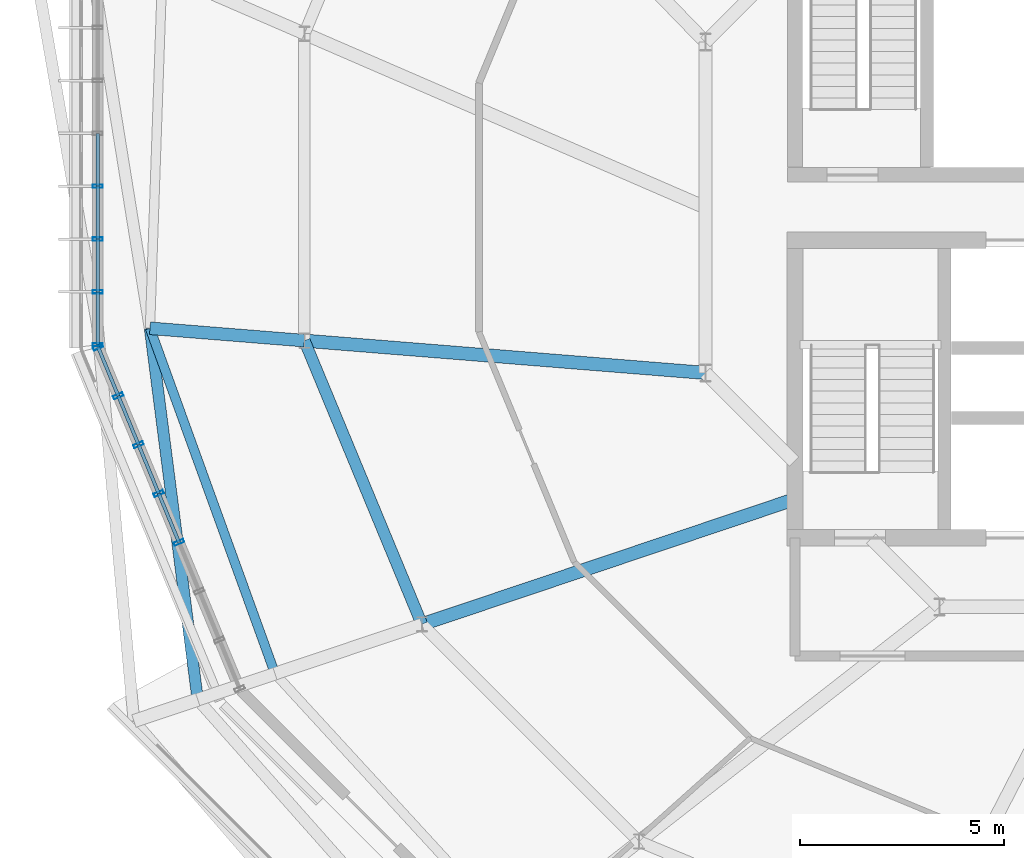
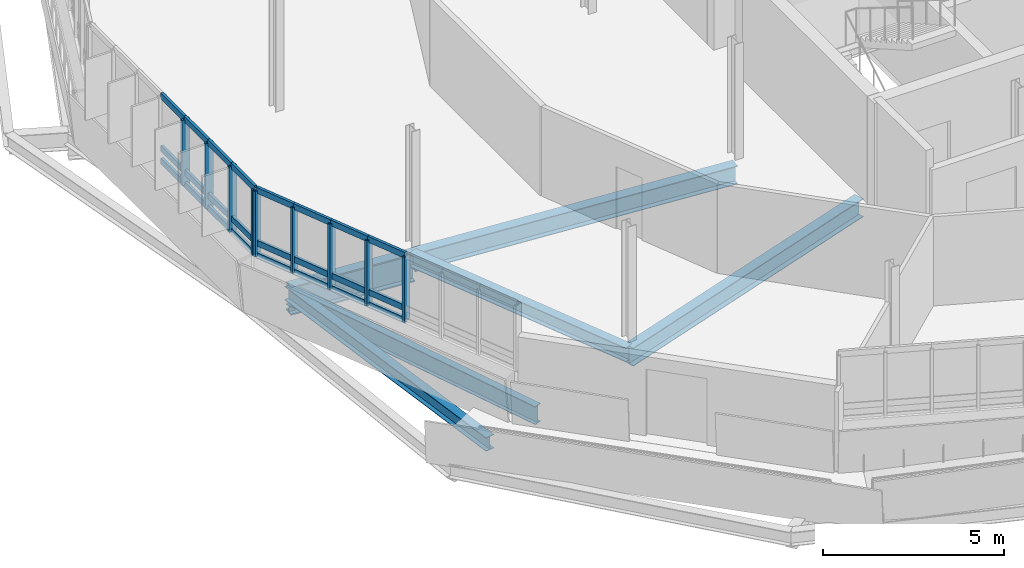
# One storey, part 7 of 38: 33 members, 6 beams, 2 elements without a shape of their own.
"""IFC4 building model written with IfcOpenShell, lengths in metres."""

import ifcopenshell
import ifcopenshell.guid

model = None  # the IFC model being written
_history = None  # IfcOwnerHistory: only IFC2X3 demands one
_inside = {}  # id of a spatial element -> (the spatial element, [elements in it])
_under = {}  # id of a project, library or spatial element -> (it, [spatial elements below it])
_declared = {}  # id of a project -> (the project, [libraries it declares])
_typed = {}  # id of a type object -> (the type object, [elements of that type])
_made_of = {}  # id of a material, layer set ... -> (it, [elements and type objects made of it])


def new_model(schema):
    """Start an empty IFC model of exactly this schema.

    Asked for "IFC4X3", IfcOpenShell would pick the latest addendum, in which some entities
    have other attributes; the version numbers below select the first issue.
    IFC2X3 requires an IfcOwnerHistory on every rooted entity: one is made here for all.
    """
    global model, _history
    if schema == "IFC4X3":
        model = ifcopenshell.file(schema_version=(4, 3, 0, 0))
    else:
        model = ifcopenshell.file(schema=schema)
    _inside.clear()
    _under.clear()
    _declared.clear()
    _typed.clear()
    _made_of.clear()
    _history = None
    if model.schema == "IFC2X3":
        org = make("IfcOrganization", Name="unknown")
        user = make(
            "IfcPersonAndOrganization",
            ThePerson=make("IfcPerson", FamilyName="unknown"),
            TheOrganization=org,
        )
        app = make(
            "IfcApplication",
            ApplicationDeveloper=org,
            Version="unknown",
            ApplicationFullName="unknown",
            ApplicationIdentifier="unknown",
        )
        _history = make(
            "IfcOwnerHistory",
            OwningUser=user,
            OwningApplication=app,
            ChangeAction="ADDED",
            CreationDate=0,
        )
    return model


def make(cls, **values):
    """One entity of the class cls with the attributes given. An attribute that is None is left unset."""
    return model.create_entity(
        cls, **{name: value for name, value in values.items() if value is not None}
    )


def rooted(cls, **values):
    """An entity with a GlobalId (a new one), such as an element, a storey or a relation."""
    return make(cls, GlobalId=ifcopenshell.guid.new(), OwnerHistory=_history, **values)


def si_unit(unit_type, name, prefix=None):
    """IfcSIUnit, for example si_unit("LENGTHUNIT", "METRE", prefix="MILLI")."""
    return make("IfcSIUnit", UnitType=unit_type, Prefix=prefix, Name=name)


def derived_unit(unit_type, elements):
    """IfcDerivedUnit: a product of units, each with its exponent."""
    return make(
        "IfcDerivedUnit",
        Elements=[
            make("IfcDerivedUnitElement", Unit=unit, Exponent=power)
            for unit, power in elements
        ],
        UnitType=unit_type,
    )


def assignment(units):
    """IfcUnitAssignment: the units of a project."""
    return None if units is None else make("IfcUnitAssignment", Units=units)


def point(xyz):
    """IfcCartesianPoint."""
    return None if xyz is None else make("IfcCartesianPoint", Coordinates=xyz)


def direction(xyz):
    """IfcDirection."""
    return None if xyz is None else make("IfcDirection", DirectionRatios=xyz)


def frame(location, z_axis=None, x_axis=None):
    """IfcAxis2Placement3D, a coordinate frame: its origin and axes. An axis left out is left unset."""
    return make(
        "IfcAxis2Placement3D",
        Location=point(location),
        Axis=direction(z_axis),
        RefDirection=direction(x_axis),
    )


def frame_2d(location, x_axis=None):
    """IfcAxis2Placement2D, a coordinate frame in the plane: its origin and x axis."""
    return make(
        "IfcAxis2Placement2D", Location=point(location), RefDirection=direction(x_axis)
    )


def origin():
    """The frame at (0, 0, 0) with its axes left unset."""
    return frame((0.0, 0.0, 0.0))


def origin_2d():
    """The frame at (0, 0) in the plane with its x axis left unset."""
    return frame_2d((0.0, 0.0))


def place(relative_to, where):
    """IfcLocalPlacement: puts the frame where relative to a parent placement (None: the world)."""
    return make(
        "IfcLocalPlacement", PlacementRelTo=relative_to, RelativePlacement=where
    )


def context(
    kind, dimensions, precision=None, world=None, true_north=None, identifier=None
):
    """IfcGeometricRepresentationContext, for example the 3D "Model" context."""
    return make(
        "IfcGeometricRepresentationContext",
        ContextIdentifier=identifier,
        ContextType=kind,
        CoordinateSpaceDimension=dimensions,
        Precision=precision,
        WorldCoordinateSystem=world,
        TrueNorth=true_north,
    )


def subcontext(parent, identifier, kind, view, scale=None):
    """IfcGeometricRepresentationSubContext, for example "Body" below "Model"."""
    return make(
        "IfcGeometricRepresentationSubContext",
        ContextIdentifier=identifier,
        ContextType=kind,
        ParentContext=parent,
        TargetScale=scale,
        TargetView=view,
    )


def project(units=None, contexts=None):
    """IfcProject with its units and contexts."""
    return rooted(
        "IfcProject",
        Name="project",
        RepresentationContexts=contexts,
        UnitsInContext=assignment(units),
    )


def spatial(cls, under=None, at=None, **own):
    """A site, building, storey or space (cls), placed at a placement, below another one or the project."""
    s = rooted(cls, ObjectPlacement=at, **own)
    if under is not None:
        _under.setdefault(under.id(), (under, []))[1].append(s)
    return s


def profile(cls, at=None, kind="AREA", **sizes):
    """A parametric profile (cls). Its sizes go by their IFC names, for example OverallWidth=200.0."""
    return make(cls, ProfileType=kind, Position=at, **sizes)


def hollow_rectangle(**sizes):
    """IfcRectangleHollowProfileDef."""
    return profile("IfcRectangleHollowProfileDef", **sizes)


def i_section(**sizes):
    """IfcIShapeProfileDef."""
    return profile("IfcIShapeProfileDef", **sizes)


def extrude(swept, where, along, depth):
    """IfcExtrudedAreaSolid: the profile swept, set in the frame where, extruded along a direction by depth."""
    return make(
        "IfcExtrudedAreaSolid",
        SweptArea=swept,
        Position=where,
        ExtrudedDirection=direction(along),
        Depth=depth,
    )


def shape(context_of_items, identifier, shape_type, items):
    """IfcShapeRepresentation: the items that make up one representation, for example the "Body"."""
    return make(
        "IfcShapeRepresentation",
        ContextOfItems=context_of_items,
        RepresentationIdentifier=identifier,
        RepresentationType=shape_type,
        Items=items,
    )


def material(Name=None, Category=None):
    """IfcMaterial."""
    return make("IfcMaterial", Name=Name, Category=Category)


def layer(
    of_material, thickness, ventilated=None, Name=None, Category=None, Priority=None
):
    """IfcMaterialLayer: one layer of a wall or slab, of a material (None: an air gap)."""
    return make(
        "IfcMaterialLayer",
        Material=of_material,
        LayerThickness=thickness,
        IsVentilated=ventilated,
        Name=Name,
        Category=Category,
        Priority=Priority,
    )


def layer_set(layers, Name=None):
    """IfcMaterialLayerSet."""
    return make("IfcMaterialLayerSet", MaterialLayers=layers, LayerSetName=Name)


def material_profile(
    of_material, cross_section, Name=None, Category=None, Priority=None
):
    """IfcMaterialProfile: a cross section and its material."""
    return make(
        "IfcMaterialProfile",
        Name=Name,
        Material=of_material,
        Profile=cross_section,
        Priority=Priority,
        Category=Category,
    )


def profile_set(profiles, Name=None, composite=None):
    """IfcMaterialProfileSet."""
    return make(
        "IfcMaterialProfileSet",
        Name=Name,
        MaterialProfiles=profiles,
        CompositeProfile=composite,
    )


def made_of(thing, what):
    """Note that an element or type object is made of a material, layer set ...; save() writes the relation."""
    if what is not None:
        _made_of.setdefault(what.id(), (what, []))[1].append(thing)
    return thing


def type_object(cls, material=None, **own):
    """A type object (cls), such as IfcWallType, which elements share."""
    return made_of(rooted(cls, **own), material)


def element(
    cls,
    number,
    at=None,
    inside=None,
    cuts=None,
    type_object=None,
    material=None,
    context=None,
    identifier="Body",
    shape_type=None,
    held_by="IfcProductDefinitionShape",
    body=None,
    shapes=None,
    **own,
):
    """One element of the class cls, such as IfcWall. Its Tag is "e" and its number.

    at: its placement. inside: the storey or other place that contains it. cuts: it is an
    opening in that element (IfcRelVoidsElement). A single representation is given by context,
    identifier, shape_type and body (its items); several are given by shapes. held_by: the class
    of the entity that holds the representations. save() writes the other relations.
    """
    e = rooted(cls, Tag="e%d" % number, ObjectPlacement=at, **own)
    if body is not None:
        shapes = [shape(context, identifier, shape_type, body)]
    if shapes is not None:
        e.Representation = make(held_by, Representations=shapes)
    if inside is not None:
        _inside.setdefault(inside.id(), (inside, []))[1].append(e)
    if cuts is not None:
        rooted(
            "IfcRelVoidsElement", RelatingBuildingElement=cuts, RelatedOpeningElement=e
        )
    if type_object is not None:
        _typed.setdefault(type_object.id(), (type_object, []))[1].append(e)
    return made_of(e, material)


def aggregate(whole, parts):
    """IfcRelAggregates: a whole, such as a stair, and the parts it consists of."""
    return rooted("IfcRelAggregates", RelatingObject=whole, RelatedObjects=parts)


def save(model, path):
    """Write the relations noted so far, then the file.

    IfcRelAggregates (storeys below a building ...), IfcRelContainedInSpatialStructure (elements
    in a storey), IfcRelDefinesByType, IfcRelAssociatesMaterial and IfcRelDeclares: one each for
    every whole, place, type object, material and project.
    """
    for whole, parts in _under.values():
        aggregate(whole, parts)
    for where, things in _inside.values():
        rooted(
            "IfcRelContainedInSpatialStructure",
            RelatedElements=things,
            RelatingStructure=where,
        )
    for kind, things in _typed.values():
        rooted("IfcRelDefinesByType", RelatedObjects=things, RelatingType=kind)
    for what, things in _made_of.values():
        rooted("IfcRelAssociatesMaterial", RelatedObjects=things, RelatingMaterial=what)
    for by, libraries in _declared.values():
        rooted("IfcRelDeclares", RelatingContext=by, RelatedDefinitions=libraries)
    model.write(path)


model = new_model("IFC4")

# Units and contexts
model_context = context("Model", 3, precision=1e-05, world=origin(), true_north=direction((0.0, 1.0)))
body_context = subcontext(model_context, "Body", "Model", "MODEL_VIEW")
ifc_project = project(units=[si_unit("LENGTHUNIT", "METRE"), si_unit("AREAUNIT", "SQUARE_METRE"), si_unit("VOLUMEUNIT", "CUBIC_METRE"), si_unit("PLANEANGLEUNIT", "RADIAN"), si_unit("MASSUNIT", "GRAM", prefix="KILO"), derived_unit("THERMALTRANSMITTANCEUNIT", [(si_unit("MASSUNIT", "GRAM", prefix="KILO"), 1), (si_unit("TIMEUNIT", "SECOND"), -3), (si_unit("THERMODYNAMICTEMPERATUREUNIT", "KELVIN"), -1)])], contexts=[model_context])

# Site, building, storey
site_placement = place(None, origin())
site = spatial("IfcSite", under=ifc_project, at=site_placement, CompositionType="ELEMENT")
building_placement = place(site_placement, origin())
building = spatial("IfcBuilding", under=site, at=building_placement, Name="Makaiwela Harbour Ferry Terminal", CompositionType="ELEMENT")
storey_placement = place(building_placement, frame((0.0, 0.0, 17.699951171875)))
storey = spatial("IfcBuildingStorey", under=building, at=storey_placement, Name="L04", CompositionType="ELEMENT", Elevation=17.699951171875)

# Curtain wall, members
ifc_material_1 = material(Name="Marine anodised aluminium 6063-T6", Category="aluminium")
ifc_layer = layer(ifc_material_1, 0.199951171875)
ifc_layer_set = layer_set([ifc_layer], Name="Marine anodised aluminium 6063-T6")
curtain_wall_type = type_object("IfcCurtainWallType", Name="ENV-CW-06", PredefinedType="USERDEFINED", material=ifc_layer_set)
curtain_wall_1_placement = place(storey_placement, origin())
curtain_wall_1 = element("IfcCurtainWall", 1, at=curtain_wall_1_placement, inside=storey, type_object=curtain_wall_type, Name="Unitised Curtain Wall CWA-050", ObjectType="UNITIZED CURTAIN WALL", PredefinedType="USERDEFINED")
ifc_material_profile_1 = material_profile(ifc_material_1, hollow_rectangle(XDim=0.0849609375, YDim=0.25, WallThickness=0.0048828125, at=origin_2d()), Name="CWM-250X85")
ifc_profile_set_1 = profile_set([ifc_material_profile_1], Name="Marine anodised aluminium 6063-T6")
member_type_1 = type_object("IfcMemberType", Name="CW-MUL-250", PredefinedType="MULLION", material=ifc_profile_set_1)
member_1_placement = place(storey_placement, frame((13.099609375, 68.1220703125, 1.47998046875), z_axis=(0.0, 0.0, 1.0), x_axis=(0.0, 1.0, 0.0)))
member_1 = element("IfcMember", 2, at=member_1_placement, type_object=member_type_1, Name="Curtain Wall Mullion CWA-050-5", PredefinedType="MULLION", context=body_context, shape_type="SweptSolid", body=[
    extrude(hollow_rectangle(XDim=0.0849609375, YDim=0.25, WallThickness=0.0048828125, at=origin_2d()), origin(), (0.0, 0.0, 1.0), 2.199951171875),
])
member_2_placement = place(storey_placement, frame((13.099609375, 66.826416015625, 1.47998046875), z_axis=(0.0, 0.0, 1.0), x_axis=(0.0, 1.0, 0.0)))
member_2 = element("IfcMember", 3, at=member_2_placement, type_object=member_type_1, Name="Curtain Wall Mullion CWA-050-6", PredefinedType="MULLION", context=body_context, shape_type="SweptSolid", body=[
    extrude(hollow_rectangle(XDim=0.0849609375, YDim=0.25, WallThickness=0.0048828125, at=origin_2d()), origin(), (0.0, 0.0, 1.0), 2.199951171875),
])
member_3_placement = place(storey_placement, frame((13.099609375, 65.530517578125, 1.47998046875), z_axis=(0.0, 0.0, 1.0), x_axis=(0.0, 1.0, 0.0)))
member_3 = element("IfcMember", 4, at=member_3_placement, type_object=member_type_1, Name="Curtain Wall Mullion CWA-050-7", PredefinedType="MULLION", context=body_context, shape_type="SweptSolid", body=[
    extrude(hollow_rectangle(XDim=0.0849609375, YDim=0.25, WallThickness=0.0048828125, at=origin_2d()), origin(), (0.0, 0.0, 1.0), 2.199951171875),
])
member_4_placement = place(storey_placement, frame((13.099609375, 64.23486328125, 1.47998046875), z_axis=(0.0, 0.0, 1.0), x_axis=(0.0, 1.0, 0.0)))
member_4 = element("IfcMember", 5, at=member_4_placement, type_object=member_type_1, Name="Curtain Wall Mullion CWA-050-8", PredefinedType="MULLION", context=body_context, shape_type="SweptSolid", body=[
    extrude(hollow_rectangle(XDim=0.0849609375, YDim=0.25, WallThickness=0.0048828125, at=origin_2d()), origin(), (0.0, 0.0, 1.0), 2.199951171875),
])

curtain_wall_2_placement = place(storey_placement, origin())
curtain_wall_2 = element("IfcCurtainWall", 6, at=curtain_wall_2_placement, inside=storey, type_object=curtain_wall_type, Name="Unitised Curtain Wall CWA-051", ObjectType="UNITIZED CURTAIN WALL", PredefinedType="USERDEFINED")
member_5_placement = place(storey_placement, frame((13.111083984375, 64.17724609375, 1.47998046875), z_axis=(0.0, 0.0, 1.0), x_axis=(-0.382683432365, 0.923879532511, 0.0)))
member_5 = element("IfcMember", 7, at=member_5_placement, type_object=member_type_1, Name="Curtain Wall Mullion CWA-051-1", PredefinedType="MULLION", context=body_context, shape_type="SweptSolid", body=[
    extrude(hollow_rectangle(XDim=0.0849609375, YDim=0.25, WallThickness=0.0048828125, at=origin_2d()), origin(), (0.0, 0.0, 1.0), 2.199951171875),
])
member_6_placement = place(storey_placement, frame((13.60693359375, 62.97998046875, 1.47998046875), z_axis=(0.0, 0.0, 1.0), x_axis=(-0.382683432365, 0.923879532511, 0.0)))
member_6 = element("IfcMember", 8, at=member_6_placement, type_object=member_type_1, Name="Curtain Wall Mullion CWA-051-2", PredefinedType="MULLION", context=body_context, shape_type="SweptSolid", body=[
    extrude(hollow_rectangle(XDim=0.0849609375, YDim=0.25, WallThickness=0.0048828125, at=origin_2d()), origin(), (0.0, 0.0, 1.0), 2.199951171875),
])
member_7_placement = place(storey_placement, frame((14.102783203125, 61.782958984375, 1.47998046875), z_axis=(0.0, 0.0, 1.0), x_axis=(-0.382683432365, 0.923879532511, 0.0)))
member_7 = element("IfcMember", 9, at=member_7_placement, type_object=member_type_1, Name="Curtain Wall Mullion CWA-051-3", PredefinedType="MULLION", context=body_context, shape_type="SweptSolid", body=[
    extrude(hollow_rectangle(XDim=0.0849609375, YDim=0.25, WallThickness=0.0048828125, at=origin_2d()), origin(), (0.0, 0.0, 1.0), 2.199951171875),
])
member_8_placement = place(storey_placement, frame((14.5986328125, 60.5859375, 1.47998046875), z_axis=(0.0, 0.0, 1.0), x_axis=(-0.382683432365, 0.923879532511, 0.0)))
member_8 = element("IfcMember", 10, at=member_8_placement, type_object=member_type_1, Name="Curtain Wall Mullion CWA-051-4", PredefinedType="MULLION", context=body_context, shape_type="SweptSolid", body=[
    extrude(hollow_rectangle(XDim=0.0849609375, YDim=0.25, WallThickness=0.0048828125, at=origin_2d()), origin(), (0.0, 0.0, 1.0), 2.199951171875),
])
member_9_placement = place(storey_placement, frame((15.094482421875, 59.388671875, 1.47998046875), z_axis=(0.0, 0.0, 1.0), x_axis=(-0.382683432365, 0.923879532511, 0.0)))
member_9 = element("IfcMember", 11, at=member_9_placement, type_object=member_type_1, Name="Curtain Wall Mullion CWA-051-5", PredefinedType="MULLION", context=body_context, shape_type="SweptSolid", body=[
    extrude(hollow_rectangle(XDim=0.0849609375, YDim=0.25, WallThickness=0.0048828125, at=origin_2d()), origin(), (0.0, 0.0, 1.0), 2.199951171875),
])

# Member
ifc_material_profile_2 = material_profile(ifc_material_1, hollow_rectangle(XDim=0.0849609375, YDim=0.199951171875, WallThickness=0.0048828125, at=origin_2d()), Name="CWT-200X85")
ifc_profile_set_2 = profile_set([ifc_material_profile_2], Name="Marine anodised aluminium 6063-T6")
member_type_2 = type_object("IfcMemberType", Name="CW-TRN-200", PredefinedType="USERDEFINED", material=ifc_profile_set_2)
member_10_placement = place(storey_placement, frame((13.099609375, 69.41796875, 1.47998046875), z_axis=(0.0, -1.0, 0.0), x_axis=(1.0, 0.0, 0.0)))
member_10 = element("IfcMember", 12, at=member_10_placement, type_object=member_type_2, Name="Curtain Wall Transom CWA-050-4-1", ObjectType="TRANSOM", PredefinedType="USERDEFINED", context=body_context, shape_type="SweptSolid", body=[
    extrude(hollow_rectangle(XDim=0.0849609375, YDim=0.199951171875, WallThickness=0.0048828125, at=origin_2d()), origin(), (0.0, 0.0, 1.0), 1.2958984375),
])

member_11_placement = place(storey_placement, frame((13.099609375, 69.41796875, 1.900146484375), z_axis=(0.0, -1.0, 0.0), x_axis=(1.0, 0.0, 0.0)))
member_11 = element("IfcMember", 13, at=member_11_placement, type_object=member_type_2, Name="Curtain Wall Transom CWA-050-4-2", ObjectType="TRANSOM", PredefinedType="USERDEFINED", context=body_context, shape_type="SweptSolid", body=[
    extrude(hollow_rectangle(XDim=0.0849609375, YDim=0.199951171875, WallThickness=0.0048828125, at=origin_2d()), origin(), (0.0, 0.0, 1.0), 1.2958984375),
])

member_12_placement = place(storey_placement, frame((13.099609375, 69.41796875, 3.679931640625), z_axis=(0.0, -1.0, 0.0), x_axis=(1.0, 0.0, 0.0)))
member_12 = element("IfcMember", 14, at=member_12_placement, type_object=member_type_2, Name="Curtain Wall Transom CWA-050-4-3", ObjectType="TRANSOM", PredefinedType="USERDEFINED", context=body_context, shape_type="SweptSolid", body=[
    extrude(hollow_rectangle(XDim=0.0849609375, YDim=0.199951171875, WallThickness=0.0048828125, at=origin_2d()), origin(), (0.0, 0.0, 1.0), 1.2958984375),
])

member_13_placement = place(storey_placement, frame((13.099609375, 68.1220703125, 1.47998046875), z_axis=(0.0, -1.0, 0.0), x_axis=(1.0, 0.0, 0.0)))
member_13 = element("IfcMember", 15, at=member_13_placement, type_object=member_type_2, Name="Curtain Wall Transom CWA-050-5-1", ObjectType="TRANSOM", PredefinedType="USERDEFINED", context=body_context, shape_type="SweptSolid", body=[
    extrude(hollow_rectangle(XDim=0.0849609375, YDim=0.199951171875, WallThickness=0.0048828125, at=origin_2d()), origin(), (0.0, 0.0, 1.0), 1.295654296875),
])

member_14_placement = place(storey_placement, frame((13.099609375, 68.1220703125, 1.900146484375), z_axis=(0.0, -1.0, 0.0), x_axis=(1.0, 0.0, 0.0)))
member_14 = element("IfcMember", 16, at=member_14_placement, type_object=member_type_2, Name="Curtain Wall Transom CWA-050-5-2", ObjectType="TRANSOM", PredefinedType="USERDEFINED", context=body_context, shape_type="SweptSolid", body=[
    extrude(hollow_rectangle(XDim=0.0849609375, YDim=0.199951171875, WallThickness=0.0048828125, at=origin_2d()), origin(), (0.0, 0.0, 1.0), 1.295654296875),
])

member_15_placement = place(storey_placement, frame((13.099609375, 68.1220703125, 3.679931640625), z_axis=(0.0, -1.0, 0.0), x_axis=(1.0, 0.0, 0.0)))
member_15 = element("IfcMember", 17, at=member_15_placement, type_object=member_type_2, Name="Curtain Wall Transom CWA-050-5-3", ObjectType="TRANSOM", PredefinedType="USERDEFINED", context=body_context, shape_type="SweptSolid", body=[
    extrude(hollow_rectangle(XDim=0.0849609375, YDim=0.199951171875, WallThickness=0.0048828125, at=origin_2d()), origin(), (0.0, 0.0, 1.0), 1.295654296875),
])

member_16_placement = place(storey_placement, frame((13.099609375, 66.826416015625, 1.47998046875), z_axis=(0.0, -1.0, 0.0), x_axis=(1.0, 0.0, 0.0)))
member_16 = element("IfcMember", 18, at=member_16_placement, type_object=member_type_2, Name="Curtain Wall Transom CWA-050-6-1", ObjectType="TRANSOM", PredefinedType="USERDEFINED", context=body_context, shape_type="SweptSolid", body=[
    extrude(hollow_rectangle(XDim=0.0849609375, YDim=0.199951171875, WallThickness=0.0048828125, at=origin_2d()), origin(), (0.0, 0.0, 1.0), 1.2958984375),
])

member_17_placement = place(storey_placement, frame((13.099609375, 66.826416015625, 1.900146484375), z_axis=(0.0, -1.0, 0.0), x_axis=(1.0, 0.0, 0.0)))
member_17 = element("IfcMember", 19, at=member_17_placement, type_object=member_type_2, Name="Curtain Wall Transom CWA-050-6-2", ObjectType="TRANSOM", PredefinedType="USERDEFINED", context=body_context, shape_type="SweptSolid", body=[
    extrude(hollow_rectangle(XDim=0.0849609375, YDim=0.199951171875, WallThickness=0.0048828125, at=origin_2d()), origin(), (0.0, 0.0, 1.0), 1.2958984375),
])

member_18_placement = place(storey_placement, frame((13.099609375, 66.826416015625, 3.679931640625), z_axis=(0.0, -1.0, 0.0), x_axis=(1.0, 0.0, 0.0)))
member_18 = element("IfcMember", 20, at=member_18_placement, type_object=member_type_2, Name="Curtain Wall Transom CWA-050-6-3", ObjectType="TRANSOM", PredefinedType="USERDEFINED", context=body_context, shape_type="SweptSolid", body=[
    extrude(hollow_rectangle(XDim=0.0849609375, YDim=0.199951171875, WallThickness=0.0048828125, at=origin_2d()), origin(), (0.0, 0.0, 1.0), 1.2958984375),
])

member_19_placement = place(storey_placement, frame((13.099609375, 65.530517578125, 1.47998046875), z_axis=(0.0, -1.0, 0.0), x_axis=(1.0, 0.0, 0.0)))
member_19 = element("IfcMember", 21, at=member_19_placement, type_object=member_type_2, Name="Curtain Wall Transom CWA-050-7-1", ObjectType="TRANSOM", PredefinedType="USERDEFINED", context=body_context, shape_type="SweptSolid", body=[
    extrude(hollow_rectangle(XDim=0.0849609375, YDim=0.199951171875, WallThickness=0.0048828125, at=origin_2d()), origin(), (0.0, 0.0, 1.0), 1.295654296875),
])

member_20_placement = place(storey_placement, frame((13.099609375, 65.530517578125, 1.900146484375), z_axis=(0.0, -1.0, 0.0), x_axis=(1.0, 0.0, 0.0)))
member_20 = element("IfcMember", 22, at=member_20_placement, type_object=member_type_2, Name="Curtain Wall Transom CWA-050-7-2", ObjectType="TRANSOM", PredefinedType="USERDEFINED", context=body_context, shape_type="SweptSolid", body=[
    extrude(hollow_rectangle(XDim=0.0849609375, YDim=0.199951171875, WallThickness=0.0048828125, at=origin_2d()), origin(), (0.0, 0.0, 1.0), 1.295654296875),
])

member_21_placement = place(storey_placement, frame((13.099609375, 65.530517578125, 3.679931640625), z_axis=(0.0, -1.0, 0.0), x_axis=(1.0, 0.0, 0.0)))
member_21 = element("IfcMember", 23, at=member_21_placement, type_object=member_type_2, Name="Curtain Wall Transom CWA-050-7-3", ObjectType="TRANSOM", PredefinedType="USERDEFINED", context=body_context, shape_type="SweptSolid", body=[
    extrude(hollow_rectangle(XDim=0.0849609375, YDim=0.199951171875, WallThickness=0.0048828125, at=origin_2d()), origin(), (0.0, 0.0, 1.0), 1.295654296875),
])

aggregate(curtain_wall_1, [member_1, member_2, member_3, member_4, member_10, member_11, member_12, member_13, member_14, member_15, member_16, member_17, member_18, member_19, member_20, member_21])

member_22_placement = place(storey_placement, frame((13.111083984375, 64.17724609375, 1.47998046875), z_axis=(0.382634657467, -0.923899734227, 0.0), x_axis=(0.923899734227, 0.382634657467, 0.0)))
member_22 = element("IfcMember", 24, at=member_22_placement, type_object=member_type_2, Name="Curtain Wall Transom CWA-051-1-1", ObjectType="TRANSOM", PredefinedType="USERDEFINED", context=body_context, shape_type="SweptSolid", body=[
    extrude(hollow_rectangle(XDim=0.0849609375, YDim=0.199951171875, WallThickness=0.0048828125, at=origin_2d()), origin(), (0.0, 0.0, 1.0), 1.2958984375),
])

member_23_placement = place(storey_placement, frame((13.111083984375, 64.17724609375, 1.900146484375), z_axis=(0.382634657467, -0.923899734227, 0.0), x_axis=(0.923899734227, 0.382634657467, 0.0)))
member_23 = element("IfcMember", 25, at=member_23_placement, type_object=member_type_2, Name="Curtain Wall Transom CWA-051-1-2", ObjectType="TRANSOM", PredefinedType="USERDEFINED", context=body_context, shape_type="SweptSolid", body=[
    extrude(hollow_rectangle(XDim=0.0849609375, YDim=0.199951171875, WallThickness=0.0048828125, at=origin_2d()), origin(), (0.0, 0.0, 1.0), 1.2958984375),
])

member_24_placement = place(storey_placement, frame((13.111083984375, 64.17724609375, 3.679931640625), z_axis=(0.382634657467, -0.923899734227, 0.0), x_axis=(0.923899734227, 0.382634657467, 0.0)))
member_24 = element("IfcMember", 26, at=member_24_placement, type_object=member_type_2, Name="Curtain Wall Transom CWA-051-1-3", ObjectType="TRANSOM", PredefinedType="USERDEFINED", context=body_context, shape_type="SweptSolid", body=[
    extrude(hollow_rectangle(XDim=0.0849609375, YDim=0.199951171875, WallThickness=0.0048828125, at=origin_2d()), origin(), (0.0, 0.0, 1.0), 1.2958984375),
])

member_25_placement = place(storey_placement, frame((13.60693359375, 62.97998046875, 1.47998046875), z_axis=(0.382701269492, -0.92387214393, 0.0), x_axis=(0.92387214393, 0.382701269492, 0.0)))
member_25 = element("IfcMember", 27, at=member_25_placement, type_object=member_type_2, Name="Curtain Wall Transom CWA-051-2-1", ObjectType="TRANSOM", PredefinedType="USERDEFINED", context=body_context, shape_type="SweptSolid", body=[
    extrude(hollow_rectangle(XDim=0.0849609375, YDim=0.199951171875, WallThickness=0.0048828125, at=origin_2d()), origin(), (0.0, 0.0, 1.0), 1.295654296875),
])

member_26_placement = place(storey_placement, frame((13.60693359375, 62.97998046875, 1.900146484375), z_axis=(0.382701269492, -0.92387214393, 0.0), x_axis=(0.92387214393, 0.382701269492, 0.0)))
member_26 = element("IfcMember", 28, at=member_26_placement, type_object=member_type_2, Name="Curtain Wall Transom CWA-051-2-2", ObjectType="TRANSOM", PredefinedType="USERDEFINED", context=body_context, shape_type="SweptSolid", body=[
    extrude(hollow_rectangle(XDim=0.0849609375, YDim=0.199951171875, WallThickness=0.0048828125, at=origin_2d()), origin(), (0.0, 0.0, 1.0), 1.295654296875),
])

member_27_placement = place(storey_placement, frame((13.60693359375, 62.97998046875, 3.679931640625), z_axis=(0.382701269492, -0.92387214393, 0.0), x_axis=(0.92387214393, 0.382701269492, 0.0)))
member_27 = element("IfcMember", 29, at=member_27_placement, type_object=member_type_2, Name="Curtain Wall Transom CWA-051-2-3", ObjectType="TRANSOM", PredefinedType="USERDEFINED", context=body_context, shape_type="SweptSolid", body=[
    extrude(hollow_rectangle(XDim=0.0849609375, YDim=0.199951171875, WallThickness=0.0048828125, at=origin_2d()), origin(), (0.0, 0.0, 1.0), 1.295654296875),
])

member_28_placement = place(storey_placement, frame((14.102783203125, 61.782958984375, 1.47998046875), z_axis=(0.382701269492, -0.92387214393, 0.0), x_axis=(0.92387214393, 0.382701269492, 0.0)))
member_28 = element("IfcMember", 30, at=member_28_placement, type_object=member_type_2, Name="Curtain Wall Transom CWA-051-3-1", ObjectType="TRANSOM", PredefinedType="USERDEFINED", context=body_context, shape_type="SweptSolid", body=[
    extrude(hollow_rectangle(XDim=0.0849609375, YDim=0.199951171875, WallThickness=0.0048828125, at=origin_2d()), origin(), (0.0, 0.0, 1.0), 1.295654296875),
])

member_29_placement = place(storey_placement, frame((14.102783203125, 61.782958984375, 1.900146484375), z_axis=(0.382701269492, -0.92387214393, 0.0), x_axis=(0.92387214393, 0.382701269492, 0.0)))
member_29 = element("IfcMember", 31, at=member_29_placement, type_object=member_type_2, Name="Curtain Wall Transom CWA-051-3-2", ObjectType="TRANSOM", PredefinedType="USERDEFINED", context=body_context, shape_type="SweptSolid", body=[
    extrude(hollow_rectangle(XDim=0.0849609375, YDim=0.199951171875, WallThickness=0.0048828125, at=origin_2d()), origin(), (0.0, 0.0, 1.0), 1.295654296875),
])

member_30_placement = place(storey_placement, frame((14.102783203125, 61.782958984375, 3.679931640625), z_axis=(0.382701269492, -0.92387214393, 0.0), x_axis=(0.92387214393, 0.382701269492, 0.0)))
member_30 = element("IfcMember", 32, at=member_30_placement, type_object=member_type_2, Name="Curtain Wall Transom CWA-051-3-3", ObjectType="TRANSOM", PredefinedType="USERDEFINED", context=body_context, shape_type="SweptSolid", body=[
    extrude(hollow_rectangle(XDim=0.0849609375, YDim=0.199951171875, WallThickness=0.0048828125, at=origin_2d()), origin(), (0.0, 0.0, 1.0), 1.295654296875),
])

member_31_placement = place(storey_placement, frame((14.5986328125, 60.5859375, 1.47998046875), z_axis=(0.382634657467, -0.923899734227, 0.0), x_axis=(0.923899734227, 0.382634657467, 0.0)))
member_31 = element("IfcMember", 33, at=member_31_placement, type_object=member_type_2, Name="Curtain Wall Transom CWA-051-4-1", ObjectType="TRANSOM", PredefinedType="USERDEFINED", context=body_context, shape_type="SweptSolid", body=[
    extrude(hollow_rectangle(XDim=0.0849609375, YDim=0.199951171875, WallThickness=0.0048828125, at=origin_2d()), origin(), (0.0, 0.0, 1.0), 1.2958984375),
])

member_32_placement = place(storey_placement, frame((14.5986328125, 60.5859375, 1.900146484375), z_axis=(0.382634657467, -0.923899734227, 0.0), x_axis=(0.923899734227, 0.382634657467, 0.0)))
member_32 = element("IfcMember", 34, at=member_32_placement, type_object=member_type_2, Name="Curtain Wall Transom CWA-051-4-2", ObjectType="TRANSOM", PredefinedType="USERDEFINED", context=body_context, shape_type="SweptSolid", body=[
    extrude(hollow_rectangle(XDim=0.0849609375, YDim=0.199951171875, WallThickness=0.0048828125, at=origin_2d()), origin(), (0.0, 0.0, 1.0), 1.2958984375),
])

member_33_placement = place(storey_placement, frame((14.5986328125, 60.5859375, 3.679931640625), z_axis=(0.382634657467, -0.923899734227, 0.0), x_axis=(0.923899734227, 0.382634657467, 0.0)))
member_33 = element("IfcMember", 35, at=member_33_placement, type_object=member_type_2, Name="Curtain Wall Transom CWA-051-4-3", ObjectType="TRANSOM", PredefinedType="USERDEFINED", context=body_context, shape_type="SweptSolid", body=[
    extrude(hollow_rectangle(XDim=0.0849609375, YDim=0.199951171875, WallThickness=0.0048828125, at=origin_2d()), origin(), (0.0, 0.0, 1.0), 1.2958984375),
])

aggregate(curtain_wall_2, [member_5, member_6, member_7, member_8, member_9, member_22, member_23, member_24, member_25, member_26, member_27, member_28, member_29, member_30, member_31, member_32, member_33])

# Beams
ifc_material_2 = material(Name="Steel ASTM A992 Grade 50", Category="steel")
ifc_material_profile_3 = material_profile(ifc_material_2, i_section(OverallWidth=0.280029296875, OverallDepth=0.462890625, WebThickness=0.0107421875, FlangeThickness=0.017333984375, at=origin_2d()), Name="W18X76")
ifc_profile_set_3 = profile_set([ifc_material_profile_3], Name="Steel ASTM A992 Grade 50")
beam_type_1 = type_object("IfcBeamType", Name="STR-BM-W18X76", PredefinedType="BEAM", material=ifc_profile_set_3)
beam_1_placement = place(storey_placement, frame((14.383056640625, 64.639404296875, -0.486572265625), z_axis=(0.12753519321, -0.991834045843, 0.0), x_axis=(0.991834045843, 0.12753519321, 0.0)))
element("IfcBeam", 36, at=beam_1_placement, inside=storey, type_object=beam_type_1, Name="Drum stage2 tie girder 470", PredefinedType="BEAM", context=body_context, shape_type="SweptSolid", body=[
    extrude(i_section(OverallWidth=0.280029296875, OverallDepth=0.462890625, WebThickness=0.0107421875, FlangeThickness=0.017333984375, at=origin_2d()), origin(), (0.0, 0.0, 1.0), 9.182861328125),
])
ifc_material_profile_4 = material_profile(ifc_material_2, i_section(OverallWidth=0.324951171875, OverallDepth=0.615966796875, WebThickness=0.013916015625, FlangeThickness=0.021484375, at=origin_2d()), Name="W24X117")
ifc_profile_set_4 = profile_set([ifc_material_profile_4], Name="Steel ASTM A992 Grade 50")
beam_type_2 = type_object("IfcBeamType", Name="STR-GRD-W24X117", PredefinedType="USERDEFINED", material=ifc_profile_set_4)
beam_2_placement = place(storey_placement, frame((28.0068359375, 63.543701171875, -0.56298828125), z_axis=(-0.996781835671, 0.080162161129, 0.0), x_axis=(-0.080162161129, -0.996781835671, 0.0)))
element("IfcBeam", 37, at=beam_2_placement, inside=storey, type_object=beam_type_2, Name="Drum radial girder 428", ObjectType="GIRDER", PredefinedType="USERDEFINED", context=body_context, shape_type="SweptSolid", body=[
    extrude(i_section(OverallWidth=0.324951171875, OverallDepth=0.615966796875, WebThickness=0.013916015625, FlangeThickness=0.021484375, at=origin_2d()), origin(), (0.0, 0.0, 1.0), 9.86767578125),
])
beam_3_placement = place(storey_placement, frame((30.159912109375, 60.43505859375, -0.56298828125), z_axis=(-0.948000034107, -0.31827022376, 0.0), x_axis=(0.31827022376, -0.948000034107, 0.0)))
element("IfcBeam", 38, at=beam_3_placement, inside=storey, type_object=beam_type_2, Name="Drum radial girder 430", ObjectType="GIRDER", PredefinedType="USERDEFINED", context=body_context, shape_type="SweptSolid", body=[
    extrude(i_section(OverallWidth=0.324951171875, OverallDepth=0.615966796875, WebThickness=0.013916015625, FlangeThickness=0.021484375, at=origin_2d()), origin(), (0.0, 0.0, 1.0), 9.60693359375),
])
ifc_material_profile_5 = material_profile(ifc_material_2, i_section(OverallWidth=0.22900390625, OverallDepth=0.612060546875, WebThickness=0.011962890625, FlangeThickness=0.01953125, at=origin_2d()), Name="W24X84")
ifc_profile_set_5 = profile_set([ifc_material_profile_5], Name="Steel ASTM A992 Grade 50")
beam_type_3 = type_object("IfcBeamType", Name="STR-GRD-W24X84", PredefinedType="USERDEFINED", material=ifc_profile_set_5)
beam_4_placement = place(storey_placement, frame((14.383056640625, 64.639404296875, -0.56103515625), z_axis=(0.340439431339, -0.940266448189, 0.0), x_axis=(0.940266448189, 0.340439431339, 0.0)))
element("IfcBeam", 39, at=beam_4_placement, inside=storey, type_object=beam_type_3, Name="Drum overhang tie girder 469", ObjectType="GIRDER", PredefinedType="USERDEFINED", context=body_context, shape_type="SweptSolid", body=[
    extrude(i_section(OverallWidth=0.22900390625, OverallDepth=0.612060546875, WebThickness=0.011962890625, FlangeThickness=0.01953125, at=origin_2d()), origin(), (0.0, 0.0, 1.0), 9.00927734375),
])
ifc_material_profile_6 = material_profile(ifc_material_2, i_section(OverallWidth=0.31005859375, OverallDepth=0.949951171875, WebThickness=0.0244140625, FlangeThickness=0.0439453125, at=origin_2d()), Name="W36X256")
ifc_profile_set_6 = profile_set([ifc_material_profile_6], Name="Steel ASTM A992 Grade 50")
beam_type_4 = type_object("IfcBeamType", Name="STR-GRD-W36X256", PredefinedType="USERDEFINED", material=ifc_profile_set_6)
beam_5_placement = place(storey_placement, frame((18.1708984375, 64.334716796875, -0.72998046875), z_axis=(-0.996780456317, 0.080179310956, 0.0), x_axis=(-0.080179310956, -0.996780456317, 0.0)))
element("IfcBeam", 40, at=beam_5_placement, inside=storey, type_object=beam_type_4, Name="Drum radial overhang 429", ObjectType="GIRDER", PredefinedType="USERDEFINED", context=body_context, shape_type="SweptSolid", body=[
    extrude(i_section(OverallWidth=0.31005859375, OverallDepth=0.949951171875, WebThickness=0.0244140625, FlangeThickness=0.0439453125, at=origin_2d()), origin(), (0.0, 0.0, 1.0), 3.800048828125),
])
ifc_material_profile_7 = material_profile(ifc_material_2, i_section(OverallWidth=0.283935546875, OverallDepth=0.47607421875, WebThickness=0.014892578125, FlangeThickness=0.02392578125, at=origin_2d()), Name="W18X106")
ifc_profile_set_7 = profile_set([ifc_material_profile_7], Name="Steel ASTM A992 Grade 50")
beam_type_5 = type_object("IfcBeamType", Name="STR-SPN-W18X106", PredefinedType="SPANDREL", material=ifc_profile_set_7)
beam_6_placement = place(storey_placement, frame((18.1708984375, 64.334716796875, -0.492919921875), z_axis=(0.382660079618, -0.92388920519, 0.0), x_axis=(0.92388920519, 0.382660079618, 0.0)))
element("IfcBeam", 41, at=beam_6_placement, inside=storey, type_object=beam_type_5, Name="Drum column ring girder 389", PredefinedType="SPANDREL", context=body_context, shape_type="SweptSolid", body=[
    extrude(i_section(OverallWidth=0.283935546875, OverallDepth=0.47607421875, WebThickness=0.014892578125, FlangeThickness=0.02392578125, at=origin_2d()), origin(), (0.0, 0.0, 1.0), 7.530517578125),
])

save(model, "model.ifc")
